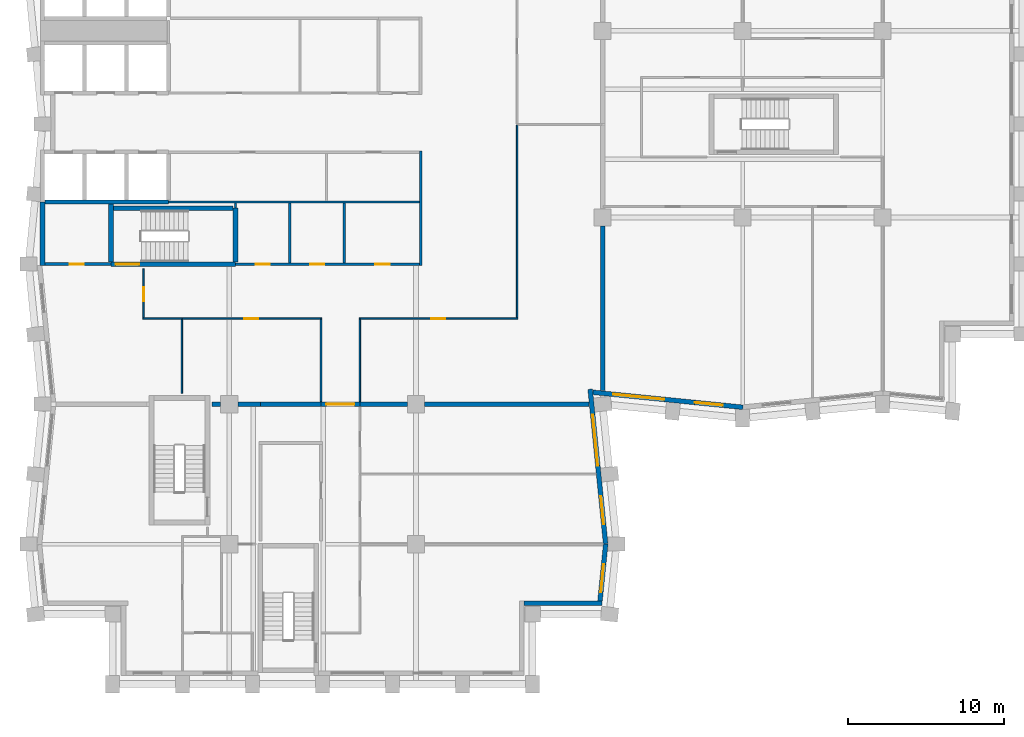
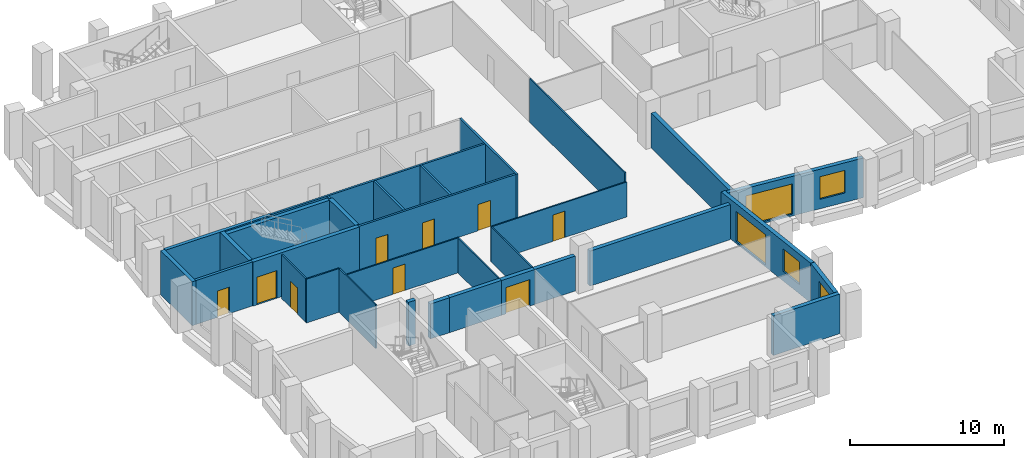
# One storey, part 4 of 10: 32 walls, 9 doors, 5 windows, 14 openings.
"""IFC4 building model written with IfcOpenShell, lengths in metres."""

from ifc_helpers import new_model, si_unit, direction, frame, frame_2d, origin, place, context, subcontext, project, spatial, rectangle, extrude, material, layer, layer_set, type_object, element, fill, save


model = new_model("IFC4")

# Units and contexts
model_context = context("Model", 3, precision=1e-05, world=origin(), true_north=direction((0.0, 1.0)))
body_context = subcontext(model_context, "Body", "Model", "MODEL_VIEW")
ifc_project = project(units=[si_unit("LENGTHUNIT", "METRE"), si_unit("AREAUNIT", "SQUARE_METRE"), si_unit("VOLUMEUNIT", "CUBIC_METRE"), si_unit("PLANEANGLEUNIT", "RADIAN"), si_unit("MASSUNIT", "GRAM", prefix="KILO")], contexts=[model_context])

# Site, building, storey
site_placement = place(None, origin())
site = spatial("IfcSite", under=ifc_project, at=site_placement, CompositionType="ELEMENT")
building_placement = place(site_placement, origin())
building = spatial("IfcBuilding", under=site, at=building_placement, Name="Brondeck Convention Tower", CompositionType="ELEMENT")
storey_placement = place(building_placement, frame((0.0, 0.0, 158.60009765625)))
storey = spatial("IfcBuildingStorey", under=building, at=storey_placement, Name="L38", CompositionType="ELEMENT", Elevation=158.60009765625)

# Walls
ifc_material_1 = material(Name="Concrete compartment wall C30/37", Category="concrete")
ifc_layer_1 = layer(ifc_material_1, 0.300048828125)
ifc_layer_set_1 = layer_set([ifc_layer_1], Name="Compartment wall 300")
wall_type_1 = type_object("IfcWallType", Name="Compartment wall 300", PredefinedType="PARTITIONING", material=ifc_layer_set_1)
wall_1_placement = place(storey_placement, frame((10.89990234375, 27.0, 0.0), z_axis=(0.0, 0.0, 1.0), x_axis=(1.0, 0.0, 0.0)))
element("IfcWall", 1, at=wall_1_placement, inside=storey, type_object=wall_type_1, Name="FLR-L38-W023", PredefinedType="PARTITIONING", context=body_context, shape_type="SweptSolid", body=[
    extrude(rectangle(XDim=0.545166015625, YDim=0.300048828125, at=frame_2d((0.2724609375, 0.0))), origin(), (0.0, 0.0, 1.0), 3.47998046875),
])
wall_2_placement = place(storey_placement, frame((12.554931640625, 27.0, 0.0), z_axis=(0.0, 0.0, 1.0), x_axis=(1.0, 0.0, 0.0)))
element("IfcWall", 2, at=wall_2_placement, inside=storey, type_object=wall_type_1, Name="FLR-L38-W024", PredefinedType="PARTITIONING", context=body_context, shape_type="SweptSolid", body=[
    extrude(rectangle(XDim=1.445068359375, YDim=0.300048828125, at=frame_2d((0.72265625, 0.0))), origin(), (0.0, 0.0, 1.0), 2.77978515625),
])
wall_3_placement = place(storey_placement, frame((14.0, 27.0, 0.0), z_axis=(0.0, 0.0, 1.0), x_axis=(1.0, 0.0, 0.0)))
element("IfcWall", 3, at=wall_3_placement, inside=storey, type_object=wall_type_1, Name="FLR-L38-W025", PredefinedType="PARTITIONING", context=body_context, shape_type="SweptSolid", body=[
    extrude(rectangle(XDim=3.89990234375, YDim=0.300048828125, at=frame_2d((1.949951171875, 0.0))), origin(), (0.0, 0.0, 1.0), 2.77978515625),
])

# Wall, opening, door
wall_4_placement = place(storey_placement, frame((20.39990234375, 27.0, 0.0), z_axis=(0.0, 0.0, 1.0), x_axis=(-1.0, 0.0, 0.0)))
wall_4 = element("IfcWall", 4, at=wall_4_placement, inside=storey, type_object=wall_type_1, Name="FLR-L38-W026", PredefinedType="PARTITIONING", context=body_context, shape_type="SweptSolid", body=[
    extrude(rectangle(XDim=2.5, YDim=0.300048828125, at=frame_2d((1.25, 0.0))), origin(), (0.0, 0.0, 1.0), 2.77978515625),
])
opening_1_placement = place(wall_4_placement, frame((0.35009765625, 0.0, 0.0)))
opening_1 = element("IfcOpeningElement", 5, at=opening_1_placement, cuts=wall_4, Name="Opening OF-G-017", PredefinedType="OPENING", context=body_context, shape_type="SweptSolid", body=[
    extrude(rectangle(XDim=1.800048828125, YDim=2.10009765625, at=frame_2d((0.89990234375, 1.050048828125))), frame((0.0, 0.159912109375, 0.0), z_axis=(0.0, -1.0, 0.0), x_axis=(1.0, 0.0, 0.0)), (0.0, 0.0, 1.0), 0.320068359375),
])
ifc_material_2 = material(Name="Steel fire door pair", Category="steel")
door_type_1 = type_object("IfcDoorType", Name="Fire door pair 1800", OperationType="DOUBLE_DOOR_SINGLE_SWING", PredefinedType="DOOR", material=ifc_material_2)
door_1_placement = place(opening_1_placement, origin())
door_1 = element("IfcDoor", 6, at=door_1_placement, inside=storey, type_object=door_type_1, Name="Door OF-G-017", OperationType="DOUBLE_DOOR_SINGLE_SWING", OverallHeight=2.10009765625, OverallWidth=1.800048828125, PredefinedType="DOOR", context=body_context, shape_type="SweptSolid", body=[
    extrude(rectangle(XDim=1.800048828125, YDim=2.10009765625, at=frame_2d((0.89990234375, 1.050048828125))), frame((0.0, 0.02490234375, 0.0), z_axis=(0.0, -1.0, 0.0), x_axis=(1.0, 0.0, 0.0)), (0.0, 0.0, 1.0), 0.050048828125),
])
fill(opening_1, door_1)

# Walls
wall_5_placement = place(storey_placement, frame((20.39990234375, 27.0, 0.0), z_axis=(0.0, 0.0, 1.0), x_axis=(1.0, 0.0, 0.0)))
element("IfcWall", 7, at=wall_5_placement, inside=storey, type_object=wall_type_1, Name="FLR-L38-W027", PredefinedType="PARTITIONING", context=body_context, shape_type="SweptSolid", body=[
    extrude(rectangle(XDim=3.045166015625, YDim=0.300048828125, at=frame_2d((1.5224609375, 0.0))), origin(), (0.0, 0.0, 1.0), 2.77978515625),
])
for number, where, z_axis, x_axis, name in (
    (8, (24.554931640625, 27.0, 0.0), (0.0, 0.0, 1.0), (1.0, 0.0, 0.0), "FLR-L38-W028"),
    (9, (36.0, 27.874267578125, 0.0), (0.0, 0.0, 1.0), (0.0, 1.0, 0.0), "FLR-L38-W031"),
):
    element("IfcWall", number, at=place(storey_placement, frame(where, z_axis=z_axis, x_axis=x_axis)), inside=storey, type_object=wall_type_1, Name=name, PredefinedType="PARTITIONING", context=body_context, shape_type="SweptSolid", body=[
        extrude(rectangle(XDim=10.57080078125, YDim=0.300048828125, at=frame_2d((5.285400390625, 0.0))), origin(), (0.0, 0.0, 1.0), 2.77978515625),
    ])

# Wall, openings, doors
ifc_material_3 = material(Name="Concrete C70/85", Category="concrete")
ifc_layer_2 = layer(ifc_material_3, 0.14990234375)
ifc_layer_set_2 = layer_set([ifc_layer_2], Name="Core beam-seat wall 150 Concrete C70/85")
wall_type_2 = type_object("IfcWallType", Name="Core beam-seat wall 150 Concrete C70/85", PredefinedType="SHEAR", material=ifc_layer_set_2)
wall_6_placement = place(storey_placement, frame((12.39990234375, 36.0, 0.0), z_axis=(0.0, 0.0, 1.0), x_axis=(1.0, 0.0, 0.0)))
wall_6 = element("IfcWall", 10, at=wall_6_placement, inside=storey, type_object=wall_type_2, Name="L38 core wall", PredefinedType="SHEAR", context=body_context, shape_type="SweptSolid", body=[
    extrude(rectangle(XDim=11.8251953125, YDim=0.14990234375, at=frame_2d((5.91259765625, 0.0))), origin(), (0.0, 0.0, 1.0), 3.5),
])
opening_2_placement = place(wall_6_placement, frame((1.300048828125, 0.0, 0.0)))
opening_2 = element("IfcOpeningElement", 11, at=opening_2_placement, cuts=wall_6, Name="Opening C22-03", PredefinedType="OPENING", context=body_context, shape_type="SweptSolid", body=[
    extrude(rectangle(XDim=0.89990234375, YDim=2.10009765625, at=frame_2d((0.449951171875, 1.050048828125))), frame((0.0, 0.0849609375, 0.0), z_axis=(0.0, -1.0, 0.0), x_axis=(1.0, 0.0, 0.0)), (0.0, 0.0, 1.0), 0.169921875),
])
opening_3_placement = place(wall_6_placement, frame((4.800048828125, 0.0, 0.0)))
opening_3 = element("IfcOpeningElement", 12, at=opening_3_placement, cuts=wall_6, Name="Opening C22-04", PredefinedType="OPENING", context=body_context, shape_type="SweptSolid", body=[
    extrude(rectangle(XDim=0.89990234375, YDim=2.10009765625, at=frame_2d((0.449951171875, 1.050048828125))), frame((0.0, 0.0849609375, 0.0), z_axis=(0.0, -1.0, 0.0), x_axis=(1.0, 0.0, 0.0)), (0.0, 0.0, 1.0), 0.169921875),
])
opening_4_placement = place(wall_6_placement, frame((8.97509765625, 0.0, 0.0)))
opening_4 = element("IfcOpeningElement", 13, at=opening_4_placement, cuts=wall_6, Name="Opening C22-05", PredefinedType="OPENING", context=body_context, shape_type="SweptSolid", body=[
    extrude(rectangle(XDim=0.949951171875, YDim=2.10009765625, at=frame_2d((0.47509765625, 1.050048828125))), frame((0.0, 0.0849609375, 0.0), z_axis=(0.0, -1.0, 0.0), x_axis=(1.0, 0.0, 0.0)), (0.0, 0.0, 1.0), 0.169921875),
])
ifc_material_4 = material(Name="Steel fire door", Category="steel")
door_type_2 = type_object("IfcDoorType", Name="Room door 900x2100 EI 60", OperationType="NOTDEFINED", PredefinedType="DOOR", material=ifc_material_4)
door_2_placement = place(opening_2_placement, origin())
door_2 = element("IfcDoor", 14, at=door_2_placement, inside=storey, type_object=door_type_2, Name="L38 Room door FR-1", OperationType="SINGLE_SWING_RIGHT", OverallHeight=2.10009765625, OverallWidth=0.89990234375, PredefinedType="DOOR", context=body_context, shape_type="SweptSolid", body=[
    extrude(rectangle(XDim=0.89990234375, YDim=2.10009765625, at=frame_2d((0.449951171875, 1.050048828125))), frame((0.0, 0.02490234375, 0.0), z_axis=(0.0, -1.0, 0.0), x_axis=(1.0, 0.0, 0.0)), (0.0, 0.0, 1.0), 0.050048828125),
])
fill(opening_2, door_2)
door_3_placement = place(opening_3_placement, origin())
door_3 = element("IfcDoor", 15, at=door_3_placement, inside=storey, type_object=door_type_2, Name="L38 Room door FR-2", OperationType="SINGLE_SWING_LEFT", OverallHeight=2.10009765625, OverallWidth=0.89990234375, PredefinedType="DOOR", context=body_context, shape_type="SweptSolid", body=[
    extrude(rectangle(XDim=0.89990234375, YDim=2.10009765625, at=frame_2d((0.449951171875, 1.050048828125))), frame((0.0, 0.02490234375, 0.0), z_axis=(0.0, -1.0, 0.0), x_axis=(1.0, 0.0, 0.0)), (0.0, 0.0, 1.0), 0.050048828125),
])
fill(opening_3, door_3)
door_type_3 = type_object("IfcDoorType", Name="Room door 950x2100 EI 60", OperationType="NOTDEFINED", PredefinedType="DOOR", material=ifc_material_4)
door_4_placement = place(opening_4_placement, origin())
door_4 = element("IfcDoor", 16, at=door_4_placement, inside=storey, type_object=door_type_3, Name="L38 Room door FR-3", OperationType="SINGLE_SWING_RIGHT", OverallHeight=2.10009765625, OverallWidth=0.949951171875, PredefinedType="DOOR", context=body_context, shape_type="SweptSolid", body=[
    extrude(rectangle(XDim=0.949951171875, YDim=2.10009765625, at=frame_2d((0.47509765625, 1.050048828125))), frame((0.0, 0.02490234375, 0.0), z_axis=(0.0, -1.0, 0.0), x_axis=(1.0, 0.0, 0.0)), (0.0, 0.0, 1.0), 0.050048828125),
])
fill(opening_4, door_4)

# Walls
ifc_layer_3 = layer(ifc_material_3, 0.300048828125)
ifc_layer_set_3 = layer_set([ifc_layer_3], Name="Core outer wall 300 Concrete C70/85")
wall_type_3 = type_object("IfcWallType", Name="Core outer wall 300 Concrete C70/85", PredefinedType="SHEAR", material=ifc_layer_set_3)
wall_7_placement = place(storey_placement, frame((0.0, 35.89990234375, 0.0), z_axis=(0.0, 0.0, 1.0), x_axis=(0.0, 1.0, 0.0)))
element("IfcWall", 17, at=wall_7_placement, inside=storey, type_object=wall_type_3, Name="L38 core wall", PredefinedType="SHEAR", context=body_context, shape_type="SweptSolid", body=[
    extrude(rectangle(XDim=4.10009765625, YDim=0.300048828125, at=frame_2d((2.050048828125, 0.0))), origin(), (0.0, 0.0, 1.0), 3.5),
])
ifc_material_5 = material(Name="Fire-rated gypsum board partition")
ifc_layer_4 = layer(ifc_material_5, 0.14990234375)
ifc_layer_set_4 = layer_set([ifc_layer_4], Name="Core partition 150 EI 60")
wall_type_4 = type_object("IfcWallType", Name="Core partition 150 EI 60", PredefinedType="PARTITIONING", material=ifc_layer_set_4)
wall_8_placement = place(storey_placement, frame((8.10009765625, 40.0, 0.0), z_axis=(0.0, 0.0, 1.0), x_axis=(1.0, 0.0, 0.0)))
element("IfcWall", 18, at=wall_8_placement, inside=storey, type_object=wall_type_4, Name="L38 core wall", PredefinedType="PARTITIONING", context=body_context, shape_type="SweptSolid", body=[
    extrude(rectangle(XDim=16.125, YDim=0.14990234375, at=frame_2d((8.0625, 0.0))), origin(), (0.0, 0.0, 1.0), 3.5),
])
wall_9_placement = place(storey_placement, frame((12.39990234375, 39.60009765625, 0.0), z_axis=(0.0, 0.0, 1.0), x_axis=(0.0, 1.0, 0.0)))
element("IfcWall", 19, at=wall_9_placement, inside=storey, type_object=wall_type_4, Name="L38 core wall", PredefinedType="PARTITIONING", context=body_context, shape_type="SweptSolid", body=[
    extrude(rectangle(XDim=0.324951171875, YDim=0.14990234375, at=frame_2d((0.16259765625, 0.0))), origin(), (0.0, 0.0, 1.0), 3.5),
])
for number, where, z_axis, x_axis, name in (
    (20, (15.89990234375, 36.074951171875, 0.0), (0.0, 0.0, 1.0), (0.0, 1.0, 0.0), "L38 core wall"),
    (21, (19.39990234375, 36.074951171875, 0.0), (0.0, 0.0, 1.0), (0.0, 1.0, 0.0), "L38 core wall"),
):
    element("IfcWall", number, at=place(storey_placement, frame(where, z_axis=z_axis, x_axis=x_axis)), inside=storey, type_object=wall_type_4, Name=name, PredefinedType="PARTITIONING", context=body_context, shape_type="SweptSolid", body=[
        extrude(rectangle(XDim=3.85009765625, YDim=0.14990234375, at=frame_2d((1.925048828125, 0.0))), origin(), (0.0, 0.0, 1.0), 3.5),
    ])
wall_10_placement = place(storey_placement, frame((24.300048828125, 35.925048828125, 0.0), z_axis=(0.0, 0.0, 1.0), x_axis=(0.0, 1.0, 0.0)))
element("IfcWall", 22, at=wall_10_placement, inside=storey, type_object=wall_type_4, Name="L38 core wall", PredefinedType="PARTITIONING", context=body_context, shape_type="SweptSolid", body=[
    extrude(rectangle(XDim=7.349853515625, YDim=0.14990234375, at=frame_2d((3.6748046875, 0.0))), origin(), (0.0, 0.0, 1.0), 3.5),
])
ifc_material_6 = material(Name="Precast concrete C50/60 bronze finish", Category="concrete")
ifc_layer_5 = layer(ifc_material_6, 0.070068359375, Name="Bronze precast facing")
ifc_material_7 = material(Name="Mineral wool")
ifc_layer_6 = layer(ifc_material_7, 0.159912109375, Name="Insulation")
ifc_material_8 = material(Name="Concrete C35/45", Category="concrete")
ifc_layer_7 = layer(ifc_material_8, 0.070068359375, Name="Backing")
ifc_layer_set_5 = layer_set([ifc_layer_5, ifc_layer_6, ifc_layer_7], Name="External infill wall, precast concrete C50/60 bronze facing")
wall_type_5 = type_object("IfcWallType", Name="External infill wall, precast concrete C50/60 bronze facing", PredefinedType="SOLIDWALL", material=ifc_layer_set_5)
wall_11_placement = place(storey_placement, frame((35.952392578125, 14.199951171875, 0.0), z_axis=(0.0, 0.0, 1.0), x_axis=(-1.0, 0.0, 0.0)))
element("IfcWall", 23, at=wall_11_placement, inside=storey, type_object=wall_type_5, Name="ENV-EW-L38-P1-NC-SEB9-02", PredefinedType="SOLIDWALL", context=body_context, shape_type="SweptSolid", body=[
    extrude(rectangle(XDim=5.00244140625, YDim=0.300048828125, at=frame_2d((2.501220703125, 0.0))), origin(), (0.0, 0.0, 1.0), 3.14990234375),
])

# Wall, opening, window
wall_12_placement = place(storey_placement, frame((36.197998046875, 18.014892578125, 0.0), z_axis=(0.0, 0.0, 1.0), x_axis=(-0.099529980022, -0.99503456376, 0.0)))
wall_12 = element("IfcWall", 24, at=wall_12_placement, inside=storey, type_object=wall_type_5, Name="ENV-EW-L38-P1-B-E-02", PredefinedType="SOLIDWALL", context=body_context, shape_type="SweptSolid", body=[
    extrude(rectangle(XDim=3.681884765625, YDim=0.300048828125, at=frame_2d((1.8408203125, 0.0))), origin(), (0.0, 0.0, 1.0), 3.14990234375),
])
opening_5_placement = place(wall_12_placement, frame((1.30615234375, 0.0, 0.75)))
opening_5 = element("IfcOpeningElement", 25, at=opening_5_placement, cuts=wall_12, Name="Opening W10", PredefinedType="OPENING", context=body_context, shape_type="SweptSolid", body=[
    extrude(rectangle(XDim=1.800048828125, YDim=1.800048828125, at=frame_2d((0.89990234375, 0.89990234375))), frame((0.0, 0.159912109375, 0.0), z_axis=(0.0, -1.0, 0.0), x_axis=(1.0, 0.0, 0.0)), (0.0, 0.0, 1.0), 0.320068359375),
])
ifc_material_9 = material(Name="Bronze tinted double glazing", Category="glass")
window_type_1 = type_object("IfcWindowType", Name="Punched window, bronze tinted", PartitioningType="SINGLE_PANEL", PredefinedType="WINDOW", material=ifc_material_9)
window_1_placement = place(opening_5_placement, origin())
window_1 = element("IfcWindow", 26, at=window_1_placement, inside=storey, type_object=window_type_1, Name="ENV-WN-L38-P1-B-E-02", OverallHeight=1.800048828125, OverallWidth=1.800048828125, PartitioningType="SINGLE_PANEL", PredefinedType="WINDOW", context=body_context, shape_type="SweptSolid", body=[
    extrude(rectangle(XDim=1.800048828125, YDim=1.800048828125, at=frame_2d((0.89990234375, 0.89990234375))), frame((0.0, 0.030029296875, 0.0), z_axis=(0.0, -1.0, 0.0), x_axis=(1.0, 0.0, 0.0)), (0.0, 0.0, 1.0), 0.06005859375),
])
fill(opening_5, window_1)

# Wall, openings, windows
wall_13_placement = place(storey_placement, frame((35.2001953125, 27.964111328125, 0.0), z_axis=(0.0, 0.0, 1.0), x_axis=(0.099501297882, -0.995037432321, 0.0)))
wall_13 = element("IfcWall", 27, at=wall_13_placement, inside=storey, type_object=wall_type_5, Name="ENV-EW-L38-P1-B-E-01", PredefinedType="SOLIDWALL", context=body_context, shape_type="SweptSolid", body=[
    extrude(rectangle(XDim=9.98388671875, YDim=0.300048828125, at=frame_2d((4.991943359375, 0.0))), origin(), (0.0, 0.0, 1.0), 3.14990234375),
])
opening_6_placement = place(wall_13_placement, frame((1.650146484375, 0.0, 0.14990234375)))
opening_6 = element("IfcOpeningElement", 28, at=opening_6_placement, cuts=wall_13, Name="Opening W9", PredefinedType="OPENING", context=body_context, shape_type="SweptSolid", body=[
    extrude(rectangle(XDim=3.300048828125, YDim=2.39990234375, at=frame_2d((1.64990234375, 1.199951171875))), frame((0.0, 0.159912109375, 0.0), z_axis=(0.0, -1.0, 0.0), x_axis=(1.0, 0.0, 0.0)), (0.0, 0.0, 1.0), 0.320068359375),
])
opening_7_placement = place(wall_13_placement, frame((6.922607421875, 0.0, 0.75)))
opening_7 = element("IfcOpeningElement", 29, at=opening_7_placement, cuts=wall_13, Name="Opening W10", PredefinedType="OPENING", context=body_context, shape_type="SweptSolid", body=[
    extrude(rectangle(XDim=1.800048828125, YDim=1.800048828125, at=frame_2d((0.89990234375, 0.89990234375))), frame((0.0, 0.159912109375, 0.0), z_axis=(0.0, -1.0, 0.0), x_axis=(1.0, 0.0, 0.0)), (0.0, 0.0, 1.0), 0.320068359375),
])
window_type_2 = type_object("IfcWindowType", Name="Glazed flute window, bronze tinted", PartitioningType="SINGLE_PANEL", PredefinedType="WINDOW", material=ifc_material_9)
window_2_placement = place(opening_6_placement, origin())
window_2 = element("IfcWindow", 30, at=window_2_placement, inside=storey, type_object=window_type_2, Name="ENV-WN-L38-P1-B-E-00", OverallHeight=2.39990234375, OverallWidth=3.300048828125, PartitioningType="SINGLE_PANEL", PredefinedType="WINDOW", context=body_context, shape_type="SweptSolid", body=[
    extrude(rectangle(XDim=3.300048828125, YDim=2.39990234375, at=frame_2d((1.64990234375, 1.199951171875))), frame((0.0, 0.030029296875, 0.0), z_axis=(0.0, -1.0, 0.0), x_axis=(1.0, 0.0, 0.0)), (0.0, 0.0, 1.0), 0.06005859375),
])
fill(opening_6, window_2)
window_3_placement = place(opening_7_placement, origin())
window_3 = element("IfcWindow", 31, at=window_3_placement, inside=storey, type_object=window_type_1, Name="ENV-WN-L38-P1-B-E-01", OverallHeight=1.800048828125, OverallWidth=1.800048828125, PartitioningType="SINGLE_PANEL", PredefinedType="WINDOW", context=body_context, shape_type="SweptSolid", body=[
    extrude(rectangle(XDim=1.800048828125, YDim=1.800048828125, at=frame_2d((0.89990234375, 0.89990234375))), frame((0.0, 0.030029296875, 0.0), z_axis=(0.0, -1.0, 0.0), x_axis=(1.0, 0.0, 0.0)), (0.0, 0.0, 1.0), 0.06005859375),
])
fill(opening_7, window_3)

wall_14_placement = place(storey_placement, frame((45.014892578125, 26.802001953125, 0.0), z_axis=(0.0, 0.0, 1.0), x_axis=(-0.995037689759, 0.099498723402, 0.0)))
wall_14 = element("IfcWall", 32, at=wall_14_placement, inside=storey, type_object=wall_type_5, Name="ENV-EW-L38-P1-A-S-00", PredefinedType="SOLIDWALL", context=body_context, shape_type="SweptSolid", body=[
    extrude(rectangle(XDim=9.677490234375, YDim=0.300048828125, at=frame_2d((4.8388671875, 0.0))), origin(), (0.0, 0.0, 1.0), 3.14990234375),
])
opening_8_placement = place(wall_14_placement, frame((1.30615234375, 0.0, 0.75)))
opening_8 = element("IfcOpeningElement", 33, at=opening_8_placement, cuts=wall_14, Name="Opening W10", PredefinedType="OPENING", context=body_context, shape_type="SweptSolid", body=[
    extrude(rectangle(XDim=1.800048828125, YDim=1.800048828125, at=frame_2d((0.89990234375, 0.89990234375))), frame((0.0, 0.159912109375, 0.0), z_axis=(0.0, -1.0, 0.0), x_axis=(1.0, 0.0, 0.0)), (0.0, 0.0, 1.0), 0.320068359375),
])
opening_9_placement = place(wall_14_placement, frame((5.07861328125, 0.0, 0.14990234375)))
opening_9 = element("IfcOpeningElement", 34, at=opening_9_placement, cuts=wall_14, Name="Opening W9", PredefinedType="OPENING", context=body_context, shape_type="SweptSolid", body=[
    extrude(rectangle(XDim=3.300048828125, YDim=2.39990234375, at=frame_2d((1.64990234375, 1.199951171875))), frame((0.0, 0.159912109375, 0.0), z_axis=(0.0, -1.0, 0.0), x_axis=(1.0, 0.0, 0.0)), (0.0, 0.0, 1.0), 0.320068359375),
])
window_4_placement = place(opening_9_placement, origin())
window_4 = element("IfcWindow", 35, at=window_4_placement, inside=storey, type_object=window_type_2, Name="ENV-WN-L38-P1-A-S-00", OverallHeight=2.39990234375, OverallWidth=3.300048828125, PartitioningType="SINGLE_PANEL", PredefinedType="WINDOW", context=body_context, shape_type="SweptSolid", body=[
    extrude(rectangle(XDim=3.300048828125, YDim=2.39990234375, at=frame_2d((1.64990234375, 1.199951171875))), frame((0.0, 0.030029296875, 0.0), z_axis=(0.0, -1.0, 0.0), x_axis=(1.0, 0.0, 0.0)), (0.0, 0.0, 1.0), 0.06005859375),
])
fill(opening_9, window_4)
window_5_placement = place(opening_8_placement, origin())
window_5 = element("IfcWindow", 36, at=window_5_placement, inside=storey, type_object=window_type_1, Name="ENV-WN-L38-P1-A-S-01", OverallHeight=1.800048828125, OverallWidth=1.800048828125, PartitioningType="SINGLE_PANEL", PredefinedType="WINDOW", context=body_context, shape_type="SweptSolid", body=[
    extrude(rectangle(XDim=1.800048828125, YDim=1.800048828125, at=frame_2d((0.89990234375, 0.89990234375))), frame((0.0, 0.030029296875, 0.0), z_axis=(0.0, -1.0, 0.0), x_axis=(1.0, 0.0, 0.0)), (0.0, 0.0, 1.0), 0.06005859375),
])
fill(opening_8, window_5)

# Wall
ifc_layer_8 = layer(ifc_material_3, 0.25)
ifc_layer_set_6 = layer_set([ifc_layer_8], Name="Lift shaft wall 250 Concrete C70/85")
wall_type_6 = type_object("IfcWallType", Name="Lift shaft wall 250 Concrete C70/85", PredefinedType="SHEAR", material=ifc_layer_set_6)
wall_15_placement = place(storey_placement, frame((0.14990234375, 40.0, 0.0), z_axis=(0.0, 0.0, 1.0), x_axis=(1.0, 0.0, 0.0)))
element("IfcWall", 37, at=wall_15_placement, inside=storey, type_object=wall_type_6, Name="L38 core wall", PredefinedType="SHEAR", context=body_context, shape_type="SweptSolid", body=[
    extrude(rectangle(XDim=7.9501953125, YDim=0.25, at=frame_2d((3.97509765625, 0.0))), origin(), (0.0, 0.0, 1.0), 3.5),
])

# Wall, opening, door
ifc_layer_9 = layer(ifc_material_5, 0.199951171875)
ifc_layer_set_7 = layer_set([ifc_layer_9], Name="Riser wall 200 EI 120")
wall_type_7 = type_object("IfcWallType", Name="Riser wall 200 EI 120", PredefinedType="PARTITIONING", material=ifc_layer_set_7)
wall_16_placement = place(storey_placement, frame((0.14990234375, 36.0, 0.0), z_axis=(0.0, 0.0, 1.0), x_axis=(1.0, 0.0, 0.0)))
wall_16 = element("IfcWall", 38, at=wall_16_placement, inside=storey, type_object=wall_type_7, Name="L38 core wall", PredefinedType="PARTITIONING", context=body_context, shape_type="SweptSolid", body=[
    extrude(rectangle(XDim=4.25, YDim=0.199951171875, at=frame_2d((2.125, 0.0))), origin(), (0.0, 0.0, 1.0), 3.5),
])
opening_10_placement = place(wall_16_placement, frame((1.60009765625, 0.0, 0.0)))
opening_10 = element("IfcOpeningElement", 39, at=opening_10_placement, cuts=wall_16, Name="Opening C22-06", PredefinedType="OPENING", context=body_context, shape_type="SweptSolid", body=[
    extrude(rectangle(XDim=0.89990234375, YDim=2.10009765625, at=frame_2d((0.449951171875, 1.050048828125))), frame((0.0, 0.10986328125, 0.0), z_axis=(0.0, -1.0, 0.0), x_axis=(1.0, 0.0, 0.0)), (0.0, 0.0, 1.0), 0.219970703125),
])
door_type_4 = type_object("IfcDoorType", Name="Riser door 900x2100 EI 120", OperationType="NOTDEFINED", PredefinedType="DOOR", material=ifc_material_4)
door_5_placement = place(opening_10_placement, origin())
door_5 = element("IfcDoor", 40, at=door_5_placement, inside=storey, type_object=door_type_4, Name="L38 Riser door FRW-1", OperationType="SINGLE_SWING_LEFT", OverallHeight=2.10009765625, OverallWidth=0.89990234375, PredefinedType="DOOR", context=body_context, shape_type="SweptSolid", body=[
    extrude(rectangle(XDim=0.89990234375, YDim=2.10009765625, at=frame_2d((0.449951171875, 1.050048828125))), frame((0.0, 0.02490234375, 0.0), z_axis=(0.0, -1.0, 0.0), x_axis=(1.0, 0.0, 0.0)), (0.0, 0.0, 1.0), 0.050048828125),
])
fill(opening_10, door_5)

# Walls
ifc_material_10 = material(Name="Gypsum board partition on steel studs", Category="steel")
ifc_layer_10 = layer(ifc_material_10, 0.10009765625)
ifc_layer_set_8 = layer_set([ifc_layer_10], Name="Room partition 100")
wall_type_8 = type_object("IfcWallType", Name="Room partition 100", PredefinedType="PARTITIONING", material=ifc_layer_set_8)
wall_17_placement = place(storey_placement, frame((17.89990234375, 27.169921875, 0.0), z_axis=(0.0, 0.0, 1.0), x_axis=(0.0, 1.0, 0.0)))
element("IfcWall", 41, at=wall_17_placement, inside=storey, type_object=wall_type_8, Name="FLR-L38-W029", PredefinedType="PARTITIONING", context=body_context, shape_type="SweptSolid", body=[
    extrude(rectangle(XDim=5.280029296875, YDim=0.10009765625, at=frame_2d((2.64013671875, 0.0))), origin(), (0.0, 0.0, 1.0), 2.77978515625),
])
wall_18_placement = place(storey_placement, frame((8.9599609375, 32.449951171875, 0.0), z_axis=(0.0, 0.0, 1.0), x_axis=(0.0, -1.0, 0.0)))
element("IfcWall", 42, at=wall_18_placement, inside=storey, type_object=wall_type_8, Name="FLR-L38-W032", PredefinedType="PARTITIONING", context=body_context, shape_type="SweptSolid", body=[
    extrude(rectangle(XDim=4.75, YDim=0.10009765625, at=frame_2d((2.375, 0.0))), origin(), (0.0, 0.0, 1.0), 3.47998046875),
])
wall_19_placement = place(storey_placement, frame((20.39990234375, 32.449951171875, 0.0), z_axis=(0.0, 0.0, 1.0), x_axis=(0.0, -1.0, 0.0)))
element("IfcWall", 43, at=wall_19_placement, inside=storey, type_object=wall_type_8, Name="FLR-L38-W033", PredefinedType="PARTITIONING", context=body_context, shape_type="SweptSolid", body=[
    extrude(rectangle(XDim=5.280029296875, YDim=0.10009765625, at=frame_2d((2.64013671875, 0.0))), origin(), (0.0, 0.0, 1.0), 2.77978515625),
])
wall_20_placement = place(storey_placement, frame((8.9599609375, 32.5, 0.0), z_axis=(0.0, 0.0, 1.0), x_axis=(-1.0, 0.0, 0.0)))
element("IfcWall", 44, at=wall_20_placement, inside=storey, type_object=wall_type_8, Name="FLR-L38-W034", PredefinedType="PARTITIONING", context=body_context, shape_type="SweptSolid", body=[
    extrude(rectangle(XDim=2.510009765625, YDim=0.10009765625, at=frame_2d((1.2548828125, 0.0))), origin(), (0.0, 0.0, 1.0), 3.47998046875),
])

# Wall, opening, door
wall_21_placement = place(storey_placement, frame((17.949951171875, 32.5, 0.0), z_axis=(0.0, 0.0, 1.0), x_axis=(-1.0, 0.0, 0.0)))
wall_21 = element("IfcWall", 45, at=wall_21_placement, inside=storey, type_object=wall_type_8, Name="FLR-L38-W035", PredefinedType="PARTITIONING", context=body_context, shape_type="SweptSolid", body=[
    extrude(rectangle(XDim=8.989990234375, YDim=0.10009765625, at=frame_2d((4.4951171875, 0.0))), origin(), (0.0, 0.0, 1.0), 2.77978515625),
])
opening_11_placement = place(wall_21_placement, frame((4.070068359375, 0.0, 0.0)))
opening_11 = element("IfcOpeningElement", 46, at=opening_11_placement, cuts=wall_21, Name="Opening OF-G-014", PredefinedType="OPENING", context=body_context, shape_type="SweptSolid", body=[
    extrude(rectangle(XDim=0.89990234375, YDim=2.10009765625, at=frame_2d((0.449951171875, 1.050048828125))), frame((0.0, 0.06005859375, 0.0), z_axis=(0.0, -1.0, 0.0), x_axis=(1.0, 0.0, 0.0)), (0.0, 0.0, 1.0), 0.1201171875),
])
ifc_material_11 = material(Name="Solid timber door leaf", Category="wood")
door_type_5 = type_object("IfcDoorType", Name="Single door 900", OperationType="NOTDEFINED", PredefinedType="DOOR", material=ifc_material_11)
door_6_placement = place(opening_11_placement, origin())
door_6 = element("IfcDoor", 47, at=door_6_placement, inside=storey, type_object=door_type_5, Name="Door OF-G-014", OperationType="SINGLE_SWING_LEFT", OverallHeight=2.10009765625, OverallWidth=0.89990234375, PredefinedType="DOOR", context=body_context, shape_type="SweptSolid", body=[
    extrude(rectangle(XDim=0.89990234375, YDim=2.10009765625, at=frame_2d((0.449951171875, 1.050048828125))), frame((0.0, 0.02490234375, 0.0), z_axis=(0.0, -1.0, 0.0), x_axis=(1.0, 0.0, 0.0)), (0.0, 0.0, 1.0), 0.050048828125),
])
fill(opening_11, door_6)

wall_22_placement = place(storey_placement, frame((30.550048828125, 32.5, 0.0), z_axis=(0.0, 0.0, 1.0), x_axis=(-1.0, 0.0, 0.0)))
wall_22 = element("IfcWall", 48, at=wall_22_placement, inside=storey, type_object=wall_type_8, Name="FLR-L38-W036", PredefinedType="PARTITIONING", context=body_context, shape_type="SweptSolid", body=[
    extrude(rectangle(XDim=10.199951171875, YDim=0.10009765625, at=frame_2d((5.10009765625, 0.0))), origin(), (0.0, 0.0, 1.0), 2.77978515625),
])
opening_12_placement = place(wall_22_placement, frame((4.64990234375, 0.0, 0.0)))
opening_12 = element("IfcOpeningElement", 49, at=opening_12_placement, cuts=wall_22, Name="Opening OF-G-015", PredefinedType="OPENING", context=body_context, shape_type="SweptSolid", body=[
    extrude(rectangle(XDim=0.89990234375, YDim=2.10009765625, at=frame_2d((0.449951171875, 1.050048828125))), frame((0.0, 0.06005859375, 0.0), z_axis=(0.0, -1.0, 0.0), x_axis=(1.0, 0.0, 0.0)), (0.0, 0.0, 1.0), 0.1201171875),
])
door_7_placement = place(opening_12_placement, origin())
door_7 = element("IfcDoor", 50, at=door_7_placement, inside=storey, type_object=door_type_5, Name="Door OF-G-015", OperationType="SINGLE_SWING_LEFT", OverallHeight=2.10009765625, OverallWidth=0.89990234375, PredefinedType="DOOR", context=body_context, shape_type="SweptSolid", body=[
    extrude(rectangle(XDim=0.89990234375, YDim=2.10009765625, at=frame_2d((0.449951171875, 1.050048828125))), frame((0.0, 0.02490234375, 0.0), z_axis=(0.0, -1.0, 0.0), x_axis=(1.0, 0.0, 0.0)), (0.0, 0.0, 1.0), 0.050048828125),
])
fill(opening_12, door_7)

wall_23_placement = place(storey_placement, frame((6.5, 32.550048828125, 0.0), z_axis=(0.0, 0.0, 1.0), x_axis=(0.0, 1.0, 0.0)))
wall_23 = element("IfcWall", 51, at=wall_23_placement, inside=storey, type_object=wall_type_8, Name="FLR-L38-W037", PredefinedType="PARTITIONING", context=body_context, shape_type="SweptSolid", body=[
    extrude(rectangle(XDim=3.14990234375, YDim=0.10009765625, at=frame_2d((1.574951171875, 0.0))), origin(), (0.0, 0.0, 1.0), 3.47998046875),
])
opening_13_placement = place(wall_23_placement, frame((1.074951171875, 0.0, 0.0)))
opening_13 = element("IfcOpeningElement", 52, at=opening_13_placement, cuts=wall_23, Name="Opening OF-G-013", PredefinedType="OPENING", context=body_context, shape_type="SweptSolid", body=[
    extrude(rectangle(XDim=0.89990234375, YDim=2.10009765625, at=frame_2d((0.449951171875, 1.050048828125))), frame((0.0, 0.06005859375, 0.0), z_axis=(0.0, -1.0, 0.0), x_axis=(1.0, 0.0, 0.0)), (0.0, 0.0, 1.0), 0.1201171875),
])
door_8_placement = place(opening_13_placement, origin())
door_8 = element("IfcDoor", 53, at=door_8_placement, inside=storey, type_object=door_type_5, Name="Door OF-G-013", OperationType="SINGLE_SWING_RIGHT", OverallHeight=2.10009765625, OverallWidth=0.89990234375, PredefinedType="DOOR", context=body_context, shape_type="SweptSolid", body=[
    extrude(rectangle(XDim=0.89990234375, YDim=2.10009765625, at=frame_2d((0.449951171875, 1.050048828125))), frame((0.0, 0.02490234375, 0.0), z_axis=(0.0, -1.0, 0.0), x_axis=(1.0, 0.0, 0.0)), (0.0, 0.0, 1.0), 0.050048828125),
])
fill(opening_13, door_8)

# Wall
wall_24_placement = place(storey_placement, frame((30.5, 44.93994140625, 0.0), z_axis=(0.0, 0.0, 1.0), x_axis=(0.0, -1.0, 0.0)))
element("IfcWall", 54, at=wall_24_placement, inside=storey, type_object=wall_type_8, Name="FLR-L38-W045", PredefinedType="PARTITIONING", context=body_context, shape_type="SweptSolid", body=[
    extrude(rectangle(XDim=12.389892578125, YDim=0.10009765625, at=frame_2d((6.19482421875, 0.0))), origin(), (0.0, 0.0, 1.0), 3.47998046875),
])

# Wall, opening, door
ifc_layer_11 = layer(ifc_material_3, 0.300048828125)
ifc_layer_set_9 = layer_set([ifc_layer_11], Name="Stair enclosure wall 300 Concrete C70/85")
wall_type_9 = type_object("IfcWallType", Name="Stair enclosure wall 300 Concrete C70/85", PredefinedType="SHEAR", material=ifc_layer_set_9)
wall_25_placement = place(storey_placement, frame((4.39990234375, 36.0, 0.0), z_axis=(0.0, 0.0, 1.0), x_axis=(1.0, 0.0, 0.0)))
wall_25 = element("IfcWall", 55, at=wall_25_placement, inside=storey, type_object=wall_type_9, Name="L38 core wall", PredefinedType="SHEAR", context=body_context, shape_type="SweptSolid", body=[
    extrude(rectangle(XDim=8.0, YDim=0.300048828125, at=frame_2d((4.0, 0.0))), origin(), (0.0, 0.0, 1.0), 3.5),
])
opening_14_placement = place(wall_25_placement, frame((0.300048828125, 0.0, 0.0)))
opening_14 = element("IfcOpeningElement", 56, at=opening_14_placement, cuts=wall_25, Name="Opening C22-12", PredefinedType="OPENING", context=body_context, shape_type="SweptSolid", body=[
    extrude(rectangle(XDim=1.5, YDim=2.199951171875, at=frame_2d((0.75, 1.10009765625))), frame((0.0, 0.159912109375, 0.0), z_axis=(0.0, -1.0, 0.0), x_axis=(1.0, 0.0, 0.0)), (0.0, 0.0, 1.0), 0.320068359375),
])
door_type_6 = type_object("IfcDoorType", Name="Stair door 1500x2200 EI 90", OperationType="NOTDEFINED", PredefinedType="DOOR", material=ifc_material_4)
door_9_placement = place(opening_14_placement, origin())
door_9 = element("IfcDoor", 57, at=door_9_placement, inside=storey, type_object=door_type_6, Name="L38 Stair door ST-1", OperationType="SINGLE_SWING_RIGHT", OverallHeight=2.199951171875, OverallWidth=1.5, PredefinedType="DOOR", context=body_context, shape_type="SweptSolid", body=[
    extrude(rectangle(XDim=1.5, YDim=2.199951171875, at=frame_2d((0.75, 1.10009765625))), frame((0.0, 0.02490234375, 0.0), z_axis=(0.0, -1.0, 0.0), x_axis=(1.0, 0.0, 0.0)), (0.0, 0.0, 1.0), 0.050048828125),
])
fill(opening_14, door_9)

# Walls
wall_26_placement = place(storey_placement, frame((4.550048828125, 39.60009765625, 0.0), z_axis=(0.0, 0.0, 1.0), x_axis=(1.0, 0.0, 0.0)))
element("IfcWall", 58, at=wall_26_placement, inside=storey, type_object=wall_type_9, Name="L38 core wall", PredefinedType="SHEAR", context=body_context, shape_type="SweptSolid", body=[
    extrude(rectangle(XDim=7.699951171875, YDim=0.300048828125, at=frame_2d((3.85009765625, 0.0))), origin(), (0.0, 0.0, 1.0), 3.5),
])
wall_27_placement = place(storey_placement, frame((4.39990234375, 36.14990234375, 0.0), z_axis=(0.0, 0.0, 1.0), x_axis=(0.0, 1.0, 0.0)))
element("IfcWall", 59, at=wall_27_placement, inside=storey, type_object=wall_type_9, Name="L38 core wall", PredefinedType="SHEAR", context=body_context, shape_type="SweptSolid", body=[
    extrude(rectangle(XDim=3.72509765625, YDim=0.300048828125, at=frame_2d((1.862548828125, 0.0))), origin(), (0.0, 0.0, 1.0), 3.5),
])
wall_28_placement = place(storey_placement, frame((12.39990234375, 36.14990234375, 0.0), z_axis=(0.0, 0.0, 1.0), x_axis=(0.0, 1.0, 0.0)))
element("IfcWall", 60, at=wall_28_placement, inside=storey, type_object=wall_type_9, Name="L38 core wall", PredefinedType="SHEAR", context=body_context, shape_type="SweptSolid", body=[
    extrude(rectangle(XDim=3.4501953125, YDim=0.300048828125, at=frame_2d((1.72509765625, 0.0))), origin(), (0.0, 0.0, 1.0), 3.5),
])

save(model, "model.ifc")
